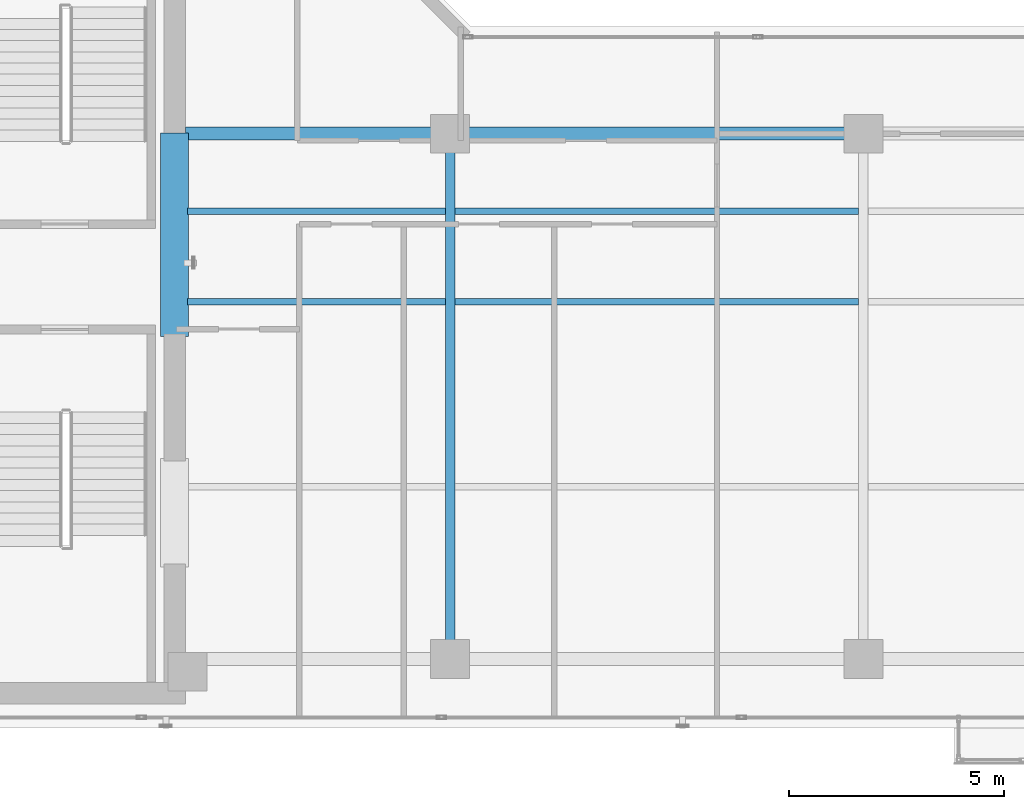
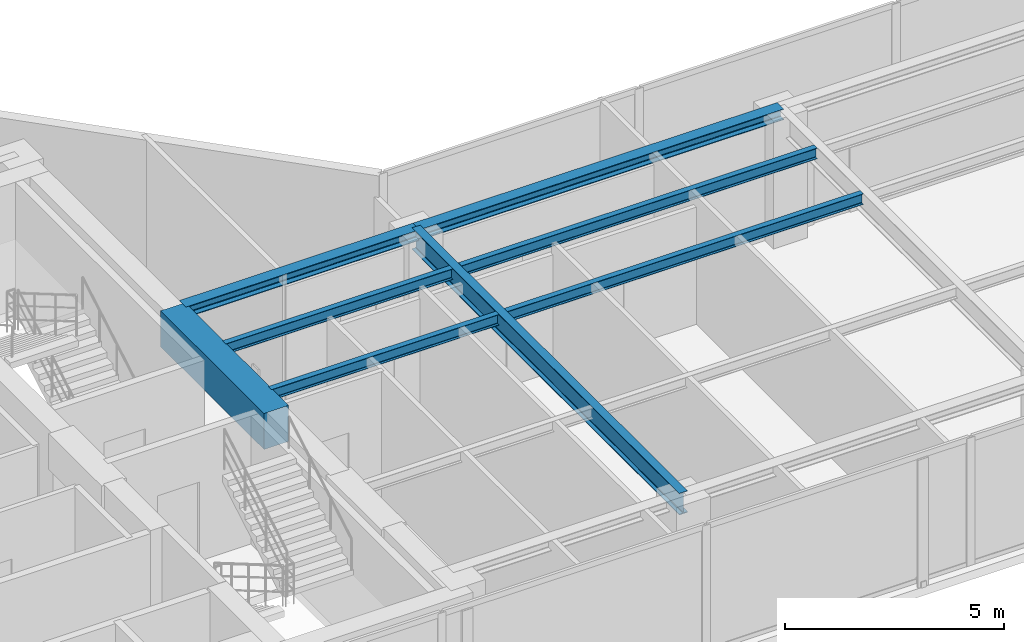
# One storey, part 5 of 23: 8 beams.
"""IFC4 building model written with IfcOpenShell, lengths in metres."""

from ifc_helpers import new_model, si_unit, direction, frame, origin, origin_2d, place, context, subcontext, project, spatial, rectangle, i_section, extrude, material, material_profile, profile_set, type_object, element, save


model = new_model("IFC4")

# Units and contexts
model_context = context("Model", 3, precision=1e-05, world=origin(), true_north=direction((0.0, 1.0)))
body_context = subcontext(model_context, "Body", "Model", "MODEL_VIEW")
ifc_project = project(units=[si_unit("LENGTHUNIT", "METRE"), si_unit("AREAUNIT", "SQUARE_METRE"), si_unit("VOLUMEUNIT", "CUBIC_METRE"), si_unit("PLANEANGLEUNIT", "RADIAN"), si_unit("MASSUNIT", "GRAM", prefix="KILO")], contexts=[model_context])

# Site, building, storey
site_placement = place(None, origin())
site = spatial("IfcSite", under=ifc_project, at=site_placement, CompositionType="ELEMENT")
building_placement = place(site_placement, origin())
building = spatial("IfcBuilding", under=site, at=building_placement, Name="Kolvaren Waterfront Exchange", CompositionType="ELEMENT")
storey_placement = place(building_placement, frame((0.0, 0.0, 304.60009765625)))
storey = spatial("IfcBuildingStorey", under=building, at=storey_placement, Name="L78", CompositionType="ELEMENT", Elevation=304.60009765625)

# Beams
ifc_material_1 = material(Name="Steel S355", Category="steel")
ifc_material_profile_1 = material_profile(ifc_material_1, i_section(OverallWidth=0.300048828125, OverallDepth=0.300048828125, WebThickness=0.010986328125, FlangeThickness=0.01904296875, FilletRadius=0.027099609375, at=origin_2d()), Name="HEB300")
ifc_profile_set_1 = profile_set([ifc_material_profile_1], Name="Steel S355")
beam_type_1 = type_object("IfcBeamType", Name="STR-BM-HEB300", PredefinedType="SPANDREL", material=ifc_profile_set_1)
beam_1_placement = place(storey_placement, frame((21.050048828125, 17.39990234375, 3.409912109375), z_axis=(1.0, 0.0, 0.0), x_axis=(0.0, 1.0, 0.0)))
element("IfcBeam", 1, at=beam_1_placement, inside=storey, type_object=beam_type_1, Name="L78 east-arm spandrel N1", PredefinedType="SPANDREL", context=body_context, shape_type="SweptSolid", body=[
    extrude(i_section(OverallWidth=0.300048828125, OverallDepth=0.300048828125, WebThickness=0.010986328125, FlangeThickness=0.01904296875, FilletRadius=0.027099609375, at=origin_2d()), origin(), (0.0, 0.0, 1.0), 6.14990234375),
])
beam_2_placement = place(storey_placement, frame((27.199951171875, 17.39990234375, 3.409912109375), z_axis=(1.0, 0.0, 0.0), x_axis=(0.0, 1.0, 0.0)))
element("IfcBeam", 2, at=beam_2_placement, inside=storey, type_object=beam_type_1, Name="L78 east-arm spandrel N2", PredefinedType="SPANDREL", context=body_context, shape_type="SweptSolid", body=[
    extrude(i_section(OverallWidth=0.300048828125, OverallDepth=0.300048828125, WebThickness=0.010986328125, FlangeThickness=0.01904296875, FilletRadius=0.027099609375, at=origin_2d()), origin(), (0.0, 0.0, 1.0), 9.60009765625),
])
ifc_material_profile_2 = material_profile(ifc_material_1, i_section(OverallWidth=0.14990234375, OverallDepth=0.300048828125, WebThickness=0.007080078125, FlangeThickness=0.0107421875, FilletRadius=0.014892578125, at=origin_2d()), Name="IPE300")
ifc_profile_set_2 = profile_set([ifc_material_profile_2], Name="Steel S355")
beam_type_2 = type_object("IfcBeamType", Name="STR-BM-IPE300", PredefinedType="JOIST", material=ifc_profile_set_2)
for number, where, z_axis, x_axis, name in (
    (3, (21.10009765625, 13.5, 3.409912109375), (1.0, 0.0, 0.0), (0.0, 1.0, 0.0), "L78 east-arm composite joist 1A"),
    (4, (21.10009765625, 15.60009765625, 3.409912109375), (1.0, 0.0, 0.0), (0.0, 1.0, 0.0), "L78 east-arm composite joist 1C"),
):
    element("IfcBeam", number, at=place(storey_placement, frame(where, z_axis=z_axis, x_axis=x_axis)), inside=storey, type_object=beam_type_2, Name=name, PredefinedType="JOIST", context=body_context, shape_type="SweptSolid", body=[
        extrude(i_section(OverallWidth=0.14990234375, OverallDepth=0.300048828125, WebThickness=0.007080078125, FlangeThickness=0.0107421875, FilletRadius=0.014892578125, at=origin_2d()), origin(), (0.0, 0.0, 1.0), 5.98779296875),
    ])
for number, where, z_axis, x_axis, name in (
    (5, (27.31201171875, 13.5, 3.409912109375), (1.0, 0.0, 0.0), (0.0, 1.0, 0.0), "L78 east-arm composite joist 2A"),
    (6, (27.31201171875, 15.60009765625, 3.409912109375), (1.0, 0.0, 0.0), (0.0, 1.0, 0.0), "L78 east-arm composite joist 2C"),
):
    element("IfcBeam", number, at=place(storey_placement, frame(where, z_axis=z_axis, x_axis=x_axis)), inside=storey, type_object=beam_type_2, Name=name, PredefinedType="JOIST", context=body_context, shape_type="SweptSolid", body=[
        extrude(i_section(OverallWidth=0.14990234375, OverallDepth=0.300048828125, WebThickness=0.007080078125, FlangeThickness=0.0107421875, FilletRadius=0.014892578125, at=origin_2d()), origin(), (0.0, 0.0, 1.0), 9.3759765625),
    ])
ifc_material_profile_3 = material_profile(ifc_material_1, i_section(OverallWidth=0.219970703125, OverallDepth=0.60009765625, WebThickness=0.011962890625, FlangeThickness=0.01904296875, FilletRadius=0.02392578125, at=origin_2d()), Name="IPE600")
ifc_profile_set_3 = profile_set([ifc_material_profile_3], Name="Steel S355")
beam_type_3 = type_object("IfcBeamType", Name="STR-BM-IPE600", PredefinedType="BEAM", material=ifc_profile_set_3)
beam_3_placement = place(storey_placement, frame((27.199951171875, 5.199951171875, 3.260009765625), z_axis=(0.0, 1.0, 0.0), x_axis=(-1.0, 0.0, 0.0)))
element("IfcBeam", 7, at=beam_3_placement, inside=storey, type_object=beam_type_3, Name="L78 east-arm transverse girder X27", PredefinedType="BEAM", context=body_context, shape_type="SweptSolid", body=[
    extrude(i_section(OverallWidth=0.219970703125, OverallDepth=0.60009765625, WebThickness=0.011962890625, FlangeThickness=0.01904296875, FilletRadius=0.02392578125, at=origin_2d()), origin(), (0.0, 0.0, 1.0), 12.199951171875),
])
ifc_material_2 = material(Name="Concrete C60/75", Category="concrete")
ifc_material_profile_4 = material_profile(ifc_material_2, rectangle(XDim=0.64990234375, YDim=1.0, at=origin_2d()), Name="RC-CB-1000x650")
ifc_profile_set_4 = profile_set([ifc_material_profile_4], Name="Concrete C60/75")
beam_type_4 = type_object("IfcBeamType", Name="STR-CB-1000", PredefinedType="SPANDREL", material=ifc_profile_set_4)
beam_4_placement = place(storey_placement, frame((20.800048828125, 12.68994140625, 3.059814453125), z_axis=(0.0, 1.0, 0.0), x_axis=(-1.0, 0.0, 0.0)))
element("IfcBeam", 8, at=beam_4_placement, inside=storey, type_object=beam_type_4, Name="L78 core coupling beam 2", PredefinedType="SPANDREL", context=body_context, shape_type="SweptSolid", body=[
    extrude(rectangle(XDim=0.64990234375, YDim=1.0, at=origin_2d()), origin(), (0.0, 0.0, 1.0), 4.719970703125),
])

save(model, "model.ifc")
